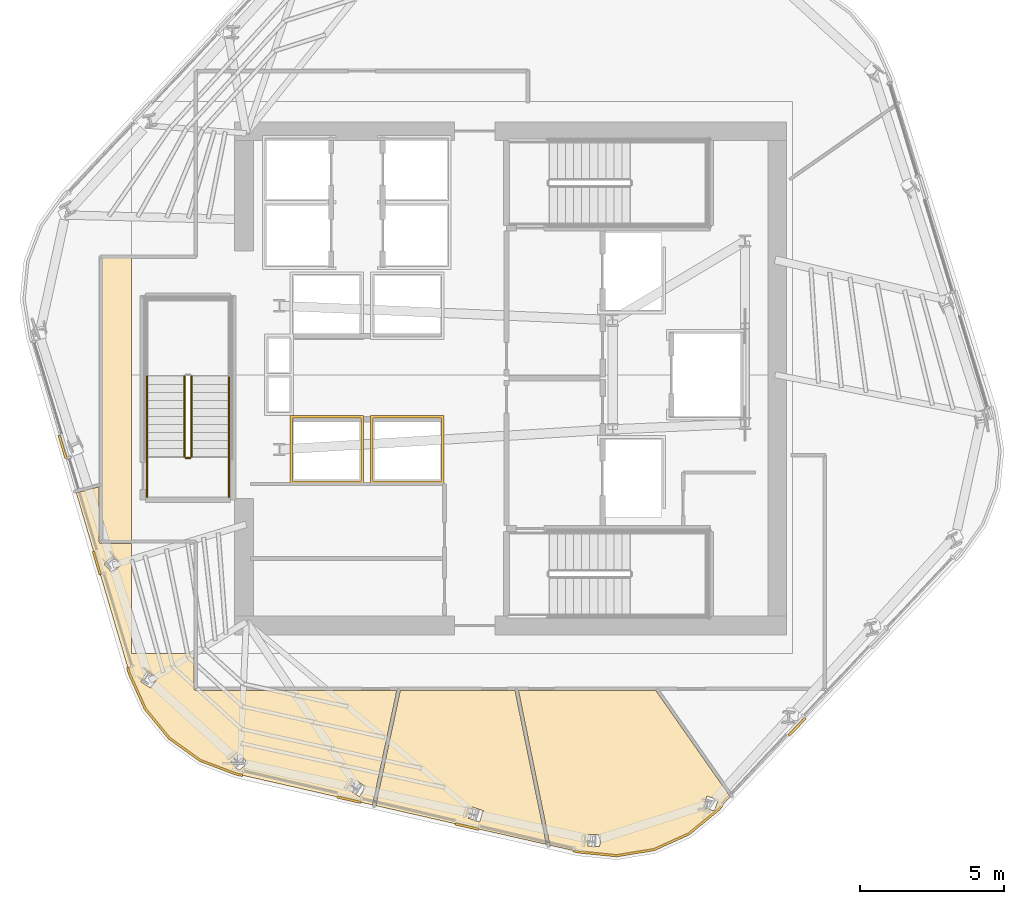
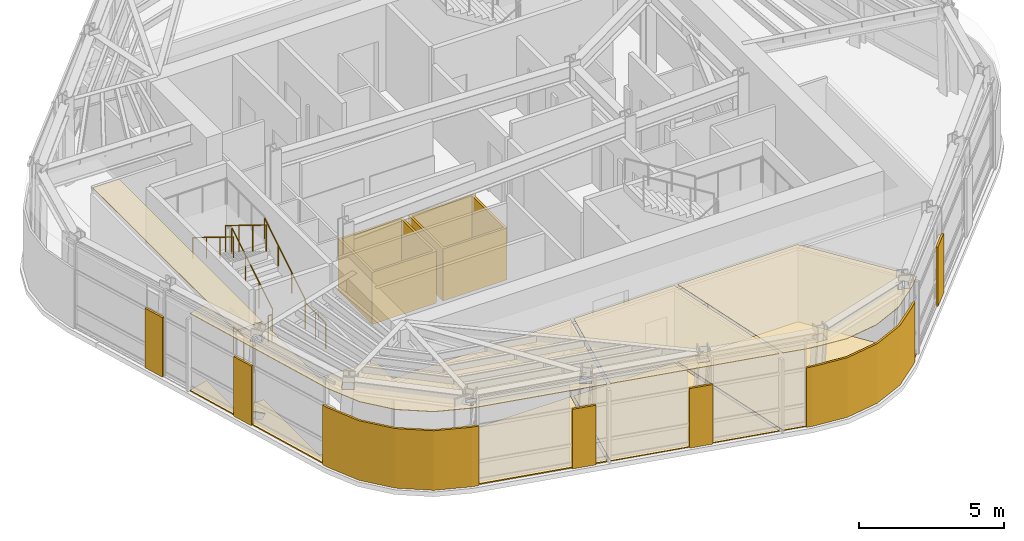
# One storey, part 9 of 13: 16 coverings, 7 railings.
"""IFC4 building model written with IfcOpenShell, lengths in metres."""

from ifc_helpers import new_model, si_unit, direction, frame, origin, origin_2d, place, context, subcontext, project, spatial, polyline, circle, outline, extrude, material, layer, layer_set, type_object, element, save


model = new_model("IFC4")

# Units and contexts
model_context = context("Model", 3, precision=1e-05, world=origin(), true_north=direction((0.0, 1.0)))
body_context = subcontext(model_context, "Body", "Model", "MODEL_VIEW")
ifc_project = project(units=[si_unit("LENGTHUNIT", "METRE"), si_unit("AREAUNIT", "SQUARE_METRE"), si_unit("VOLUMEUNIT", "CUBIC_METRE"), si_unit("PLANEANGLEUNIT", "RADIAN"), si_unit("MASSUNIT", "GRAM", prefix="KILO")], contexts=[model_context])

# Site, building, storey
site_placement = place(None, origin())
site = spatial("IfcSite", under=ifc_project, at=site_placement, CompositionType="ELEMENT")
building_placement = place(site_placement, origin())
building = spatial("IfcBuilding", under=site, at=building_placement, Name="Valkerne Bourse Tower", CompositionType="ELEMENT")
storey_placement = place(building_placement, frame((0.0, 0.0, 224.60009765625)))
storey = spatial("IfcBuildingStorey", under=building, at=storey_placement, Name="L57", CompositionType="ELEMENT", Elevation=224.60009765625)

# Coverings
ifc_material_1 = material(Name="Mineral Fiber Acoustic Ceiling Tile", Category="acoustic")
ifc_layer_1 = layer(ifc_material_1, 0.02490234375)
ifc_layer_set_1 = layer_set([ifc_layer_1], Name="Mineral Fiber Acoustic Ceiling Tile")
covering_type_1 = type_object("IfcCoveringType", Name="COV-CEIL-ACT", PredefinedType="CEILING", material=ifc_layer_set_1)
covering_1_placement = place(storey_placement, frame((0.0, 0.0, 3.25)))
element("IfcCovering", 1, at=covering_1_placement, inside=storey, type_object=covering_type_1, Name="L57 Suspended Ceiling 04", PredefinedType="CEILING", context=body_context, shape_type="SweptSolid", body=[
    extrude(outline(polyline([(46.95166015625, 16.010986328125), (48.04052734375, 10.65966796875), (42.10791015625, 12.010009765625), (42.958251953125, 16.010986328125), (46.95166015625, 16.010986328125)]), holes=[polyline([(45.45458984375, 11.96435546875), (45.452392578125, 11.96435546875), (45.324951171875, 11.57275390625), (45.718017578125, 11.4443359375), (45.72021484375, 11.4443359375), (45.847900390625, 11.8359375), (45.45458984375, 11.96435546875)])]), origin(), (0.0, 0.0, 1.0), 0.02490234375),
])
covering_2_placement = place(storey_placement, frame((0.0, 0.0, 3.25)))
element("IfcCovering", 2, at=covering_2_placement, inside=storey, type_object=covering_type_1, Name="L57 Suspended Ceiling 05", PredefinedType="CEILING", context=body_context, shape_type="SweptSolid", body=[
    extrude(outline(polyline([(51.785888671875, 10.48583984375), (50.483642578125, 10.272705078125), (49.16064453125, 10.40478515625), (48.166748046875, 10.630859375), (47.072021484375, 16.010986328125), (51.852294921875, 16.010986328125), (54.440185546875, 12.315185546875), (54.017333984375, 11.87109375), (52.988525390625, 11.02880859375), (51.785888671875, 10.48583984375)]), holes=[polyline([(49.919189453125, 10.991455078125), (49.50634765625, 11.01611328125), (49.504150390625, 11.015625), (49.47998046875, 10.6044921875), (49.892578125, 10.580078125), (49.89501953125, 10.580322265625), (49.919189453125, 10.991455078125)]), polyline([(54.01806640625, 12.21435546875), (53.628173828125, 12.345458984375), (53.6259765625, 12.344482421875), (53.4951171875, 11.95166015625), (53.885009765625, 11.820556640625), (53.88720703125, 11.821533203125), (54.01806640625, 12.21435546875)])]), origin(), (0.0, 0.0, 1.0), 0.02490234375),
])
covering_3_placement = place(storey_placement, frame((0.0, 0.0, 3.25)))
element("IfcCovering", 3, at=covering_3_placement, inside=storey, type_object=covering_type_1, Name="L57 Suspended Ceiling 06", PredefinedType="CEILING", context=body_context, shape_type="SweptSolid", body=[
    extrude(outline(polyline([(34.927490234375, 14.357177734375), (34.091796875, 15.378173828125), (33.544921875, 16.589111328125), (31.68798828125, 22.8896484375), (32.48095703125, 23.102294921875), (32.48095703125, 21.199462890625), (32.490966796875, 21.1640625), (32.520751953125, 21.137451171875), (32.549560546875, 21.131103515625), (33.60009765625, 21.131103515625), (33.60009765625, 17.300048828125), (35.781005859375, 17.300048828125), (35.781005859375, 16.07958984375), (35.790283203125, 16.044921875), (35.814208984375, 16.02099609375), (35.849365234375, 16.010986328125), (42.837646484375, 16.010986328125), (41.992919921875, 12.0361328125), (37.241943359375, 13.117431640625), (35.9990234375, 13.5869140625), (34.927490234375, 14.357177734375)]), holes=[polyline([(41.4169921875, 12.896484375), (41.414794921875, 12.8974609375), (41.185546875, 12.55517578125), (41.529052734375, 12.32470703125), (41.53125, 12.323974609375), (41.76025390625, 12.666259765625), (41.4169921875, 12.896484375)]), polyline([(37.3779296875, 13.8076171875), (37.376220703125, 13.80908203125), (37.067626953125, 13.5361328125), (37.34130859375, 13.226318359375), (37.343505859375, 13.224853515625), (37.65185546875, 13.497802734375), (37.3779296875, 13.8076171875)]), polyline([(34.50341796875, 16.448974609375), (34.159912109375, 16.6748046875), (33.931884765625, 16.328857421875), (33.93359375, 16.326904296875), (34.27685546875, 16.101318359375), (34.5048828125, 16.447021484375), (34.50341796875, 16.448974609375)]), polyline([(33.23779296875, 20.389892578125), (32.962890625, 20.695556640625), (32.654541015625, 20.418701171875), (32.655517578125, 20.416748046875), (32.930419921875, 20.111083984375), (33.23876953125, 20.3876953125), (33.23779296875, 20.389892578125)])]), origin(), (0.0, 0.0, 1.0), 0.02490234375),
])
ifc_material_2 = material(Name="Bronze Anodised Aluminium AA 6063-T6", Category="aluminium")
ifc_layer_2 = layer(ifc_material_2, 0.030029296875)
ifc_layer_set_2 = layer_set([ifc_layer_2], Name="Bronze Anodised Aluminium AA 6063-T6")
covering_type_2 = type_object("IfcCoveringType", Name="COV-CEIL-METAL", PredefinedType="CEILING", material=ifc_layer_set_2)
covering_4_placement = place(storey_placement, frame((0.0, 0.0, 3.25)))
element("IfcCovering", 4, at=covering_4_placement, inside=storey, type_object=covering_type_2, Name="L57 Suspended Ceiling 02", PredefinedType="CEILING", context=body_context, shape_type="SweptSolid", body=[
    extrude(outline(polyline([(32.553955078125, 21.2041015625), (32.553955078125, 31.095947265625), (33.60009765625, 31.095947265625), (33.60009765625, 21.2041015625), (32.553955078125, 21.2041015625)])), origin(), (0.0, 0.0, 1.0), 0.02490234375),
])
ifc_layer_3 = layer(ifc_material_2, 0.06005859375)
ifc_layer_set_3 = layer_set([ifc_layer_3], Name="Bronze Anodised Aluminium AA 6063-T6")
covering_type_3 = type_object("IfcCoveringType", Name="COV-CRN-ALUM", PredefinedType="CLADDING", material=ifc_layer_set_3)
covering_5_placement = place(storey_placement, origin())
element("IfcCovering", 5, at=covering_5_placement, inside=storey, type_object=covering_type_3, Name="L57 Wind-Shaped Corner Aluminium Cladding 03", PredefinedType="CLADDING", context=body_context, shape_type="SweptSolid", body=[
    extrude(outline(polyline([(56.5048828125, 14.42138671875), (56.446533203125, 14.47607421875), (57.025634765625, 15.084716796875), (57.083984375, 15.02978515625), (56.5048828125, 14.42138671875)])), origin(), (0.0, 0.0, 1.0), 2.5),
])
covering_6_placement = place(storey_placement, origin())
element("IfcCovering", 6, at=covering_6_placement, inside=storey, type_object=covering_type_3, Name="L57 Wind-Shaped Corner Aluminium Cladding 04", PredefinedType="CLADDING", context=body_context, shape_type="SweptSolid", body=[
    extrude(outline(polyline([(54.04736328125, 11.838623046875), (53.011962890625, 10.9912109375), (51.798583984375, 10.443603515625), (50.485107421875, 10.228271484375), (49.153564453125, 10.361083984375), (48.965576171875, 10.404052734375), (48.98388671875, 10.48193359375), (49.16650390625, 10.440185546875), (50.482421875, 10.30908203125), (51.775390625, 10.520751953125), (52.969482421875, 11.059814453125), (53.992919921875, 11.8974609375), (54.1220703125, 12.033203125), (54.180419921875, 11.978515625), (54.04736328125, 11.838623046875)])), origin(), (0.0, 0.0, 1.0), 2.5),
])
covering_7_placement = place(storey_placement, origin())
element("IfcCovering", 7, at=covering_7_placement, inside=storey, type_object=covering_type_3, Name="L57 Wind-Shaped Corner Aluminium Cladding 05", PredefinedType="CLADDING", context=body_context, shape_type="SweptSolid", body=[
    extrude(outline(polyline([(44.8583984375, 11.3388671875), (44.876708984375, 11.41650390625), (45.69580078125, 11.230224609375), (45.677490234375, 11.15234375), (44.8583984375, 11.3388671875)])), origin(), (0.0, 0.0, 1.0), 2.5),
])
covering_8_placement = place(storey_placement, origin())
element("IfcCovering", 8, at=covering_8_placement, inside=storey, type_object=covering_type_3, Name="L57 Wind-Shaped Corner Aluminium Cladding 06", PredefinedType="CLADDING", context=body_context, shape_type="SweptSolid", body=[
    extrude(outline(polyline([(40.75146484375, 12.2734375), (40.769775390625, 12.351318359375), (41.5888671875, 12.1650390625), (41.570556640625, 12.087158203125), (40.75146484375, 12.2734375)])), origin(), (0.0, 0.0, 1.0), 2.5),
])
covering_9_placement = place(storey_placement, origin())
element("IfcCovering", 9, at=covering_9_placement, inside=storey, type_object=covering_type_3, Name="L57 Wind-Shaped Corner Aluminium Cladding 07", PredefinedType="CLADDING", context=body_context, shape_type="SweptSolid", body=[
    extrude(outline(polyline([(37.229248046875, 13.0751953125), (35.97802734375, 13.5478515625), (34.897216796875, 14.32470703125), (34.053955078125, 15.354736328125), (33.503662109375, 16.57373046875), (33.435791015625, 16.80419921875), (33.51220703125, 16.8271484375), (33.578857421875, 16.6015625), (34.12255859375, 15.397216796875), (34.952392578125, 14.383544921875), (36.01611328125, 13.618896484375), (37.252197265625, 13.152099609375), (37.481689453125, 13.099853515625), (37.46337890625, 13.02197265625), (37.229248046875, 13.0751953125)])), origin(), (0.0, 0.0, 1.0), 2.5),
])
covering_10_placement = place(storey_placement, origin())
element("IfcCovering", 10, at=covering_10_placement, inside=storey, type_object=covering_type_3, Name="L57 Wind-Shaped Corner Aluminium Cladding 08", PredefinedType="CLADDING", context=body_context, shape_type="SweptSolid", body=[
    extrude(outline(polyline([(32.244873046875, 20.844482421875), (32.321533203125, 20.86767578125), (32.558837890625, 20.061767578125), (32.482421875, 20.038818359375), (32.244873046875, 20.844482421875)])), origin(), (0.0, 0.0, 1.0), 2.5),
])
covering_11_placement = place(storey_placement, origin())
element("IfcCovering", 11, at=covering_11_placement, inside=storey, type_object=covering_type_3, Name="L57 Wind-Shaped Corner Aluminium Cladding 09", PredefinedType="CLADDING", context=body_context, shape_type="SweptSolid", body=[
    extrude(outline(polyline([(31.05419921875, 24.884765625), (31.130615234375, 24.90771484375), (31.3681640625, 24.10205078125), (31.29150390625, 24.0791015625), (31.05419921875, 24.884765625)])), origin(), (0.0, 0.0, 1.0), 2.5),
])
ifc_material_3 = material(Name="Galvanised Painted Steel", Category="steel")
ifc_layer_4 = layer(ifc_material_3, 0.044921875)
ifc_layer_set_4 = layer_set([ifc_layer_4], Name="Galvanised Painted Steel")
covering_type_4 = type_object("IfcCoveringType", Name="COV-FLR-RAF", PredefinedType="FLOORING", material=ifc_layer_set_4)
covering_12_placement = place(storey_placement, origin())
element("IfcCovering", 12, at=covering_12_placement, inside=storey, type_object=covering_type_4, Name="L57 Floor Finish 06", PredefinedType="FLOORING", context=body_context, shape_type="SweptSolid", body=[
    extrude(outline(polyline([(34.927490234375, 14.357177734375), (34.091796875, 15.378173828125), (33.544921875, 16.589111328125), (31.68798828125, 22.8896484375), (32.48095703125, 23.102294921875), (32.48095703125, 21.199462890625), (32.490966796875, 21.1640625), (32.520751953125, 21.137451171875), (32.549560546875, 21.131103515625), (33.60009765625, 21.131103515625), (33.60009765625, 17.300048828125), (35.781005859375, 17.300048828125), (35.781005859375, 16.07958984375), (35.790283203125, 16.044921875), (35.814208984375, 16.02099609375), (35.849365234375, 16.010986328125), (42.837646484375, 16.010986328125), (41.992919921875, 12.0361328125), (37.241943359375, 13.117431640625), (35.9990234375, 13.5869140625), (34.927490234375, 14.357177734375)]), holes=[polyline([(41.4169921875, 12.896484375), (41.414794921875, 12.8974609375), (41.185546875, 12.55517578125), (41.529052734375, 12.32470703125), (41.53125, 12.323974609375), (41.76025390625, 12.666259765625), (41.4169921875, 12.896484375)]), polyline([(37.3779296875, 13.8076171875), (37.376220703125, 13.80908203125), (37.067626953125, 13.5361328125), (37.34130859375, 13.226318359375), (37.343505859375, 13.224853515625), (37.65185546875, 13.497802734375), (37.3779296875, 13.8076171875)]), polyline([(34.50341796875, 16.448974609375), (34.159912109375, 16.6748046875), (33.931884765625, 16.328857421875), (33.93359375, 16.326904296875), (34.27685546875, 16.101318359375), (34.5048828125, 16.447021484375), (34.50341796875, 16.448974609375)]), polyline([(33.23779296875, 20.389892578125), (32.962890625, 20.695556640625), (32.654541015625, 20.418701171875), (32.655517578125, 20.416748046875), (32.930419921875, 20.111083984375), (33.23876953125, 20.3876953125), (33.23779296875, 20.389892578125)])]), origin(), (0.0, 0.0, 1.0), 0.044921875),
])
ifc_material_4 = material(Name="Polished Granite Stone", Category="masonry")
ifc_layer_5 = layer(ifc_material_4, 0.030029296875)
ifc_layer_set_5 = layer_set([ifc_layer_5], Name="Polished Granite Stone")
covering_type_5 = type_object("IfcCoveringType", Name="COV-FLR-TERRAZZO", PredefinedType="FLOORING", material=ifc_layer_set_5)
covering_13_placement = place(storey_placement, origin())
element("IfcCovering", 13, at=covering_13_placement, inside=storey, type_object=covering_type_5, Name="L57 Floor Finish 04", PredefinedType="FLOORING", context=body_context, shape_type="SweptSolid", body=[
    extrude(outline(polyline([(46.95166015625, 16.010986328125), (48.04052734375, 10.65966796875), (42.10791015625, 12.010009765625), (42.958251953125, 16.010986328125), (46.95166015625, 16.010986328125)]), holes=[polyline([(45.45458984375, 11.96435546875), (45.452392578125, 11.96435546875), (45.324951171875, 11.57275390625), (45.718017578125, 11.4443359375), (45.72021484375, 11.4443359375), (45.847900390625, 11.8359375), (45.45458984375, 11.96435546875)])]), origin(), (0.0, 0.0, 1.0), 0.02978515625),
])
covering_14_placement = place(storey_placement, origin())
element("IfcCovering", 14, at=covering_14_placement, inside=storey, type_object=covering_type_5, Name="L57 Floor Finish 05", PredefinedType="FLOORING", context=body_context, shape_type="SweptSolid", body=[
    extrude(outline(polyline([(51.785888671875, 10.48583984375), (50.483642578125, 10.272705078125), (49.16064453125, 10.40478515625), (48.166748046875, 10.630859375), (47.072021484375, 16.010986328125), (51.852294921875, 16.010986328125), (54.440185546875, 12.315185546875), (54.017333984375, 11.87109375), (52.988525390625, 11.02880859375), (51.785888671875, 10.48583984375)]), holes=[polyline([(49.919189453125, 10.991455078125), (49.50634765625, 11.01611328125), (49.504150390625, 11.015625), (49.47998046875, 10.6044921875), (49.892578125, 10.580078125), (49.89501953125, 10.580322265625), (49.919189453125, 10.991455078125)]), polyline([(54.01806640625, 12.21435546875), (53.628173828125, 12.345458984375), (53.6259765625, 12.344482421875), (53.4951171875, 11.95166015625), (53.885009765625, 11.820556640625), (53.88720703125, 11.821533203125), (54.01806640625, 12.21435546875)])]), origin(), (0.0, 0.0, 1.0), 0.02978515625),
])
ifc_material_5 = material(Name="Gypsum Shaftwall Liner Board", Category="gypsum")
ifc_layer_6 = layer(ifc_material_5, 0.080078125)
ifc_layer_set_6 = layer_set([ifc_layer_6], Name="Gypsum Shaftwall Liner Board")
covering_type_6 = type_object("IfcCoveringType", Name="COV-SHF-CLAD", PredefinedType="CLADDING", material=ifc_layer_set_6)
covering_15_placement = place(storey_placement, origin())
element("IfcCovering", 15, at=covering_15_placement, inside=storey, type_object=covering_type_6, Name="L57 Hoistway & Riser Shaftwall Liner 01", PredefinedType="CLADDING", context=body_context, shape_type="SweptSolid", body=[
    extrude(outline(polyline([(41.679931640625, 25.580078125), (41.679931640625, 23.219970703125), (39.1201171875, 23.219970703125), (39.1201171875, 25.580078125), (41.679931640625, 25.580078125)]), holes=[polyline([(41.590087890625, 25.489990234375), (39.2099609375, 25.489990234375), (39.2099609375, 23.31005859375), (41.590087890625, 23.31005859375), (41.590087890625, 25.489990234375)])]), origin(), (0.0, 0.0, 1.0), 2.179931640625),
])
covering_16_placement = place(storey_placement, origin())
element("IfcCovering", 16, at=covering_16_placement, inside=storey, type_object=covering_type_6, Name="L57 Hoistway & Riser Shaftwall Liner 02", PredefinedType="CLADDING", context=body_context, shape_type="SweptSolid", body=[
    extrude(outline(polyline([(44.47998046875, 23.219970703125), (41.919921875, 23.219970703125), (41.919921875, 25.580078125), (44.47998046875, 25.580078125), (44.47998046875, 23.219970703125)]), holes=[polyline([(42.010009765625, 25.489990234375), (42.010009765625, 23.31005859375), (44.389892578125, 23.31005859375), (44.389892578125, 25.489990234375), (42.010009765625, 25.489990234375)])]), origin(), (0.0, 0.0, 1.0), 2.179931640625),
])

# Railings
railing_type_1 = type_object("IfcRailingType", Name="RLG-ST-GUARD-1120", PredefinedType="GUARDRAIL", material=ifc_material_3)
railing_1_placement = place(storey_placement, frame((35.699951171875, 24.14990234375, 0.172607421875)))
element("IfcRailing", 17, at=railing_1_placement, inside=storey, type_object=railing_type_1, Name="L57 ST-3 stair guard 1", PredefinedType="GUARDRAIL", context=body_context, shape_type="SweptSolid", body=[
    extrude(circle(Radius=0.02392578125, at=origin_2d()), frame((0.0, 0.0, 1.09619140625), z_axis=(0.0, 0.851089632645, 0.525020415988), x_axis=(-1.0, 0.0, 0.0)), (0.0, 0.0, 1.0), 3.2900390625),
    extrude(circle(Radius=0.02099609375, at=origin_2d()), origin(), (0.0, 0.0, 1.0), 1.072021484375),
    extrude(circle(Radius=0.02099609375, at=origin_2d()), frame((0.0, 0.933349609375, 0.57568359375)), (0.0, 0.0, 1.0), 1.072021484375),
    extrude(circle(Radius=0.02099609375, at=origin_2d()), frame((0.0, 1.86669921875, 1.151611328125)), (0.0, 0.0, 1.0), 1.072021484375),
    extrude(circle(Radius=0.02099609375, at=origin_2d()), frame((0.0, 2.800048828125, 1.727294921875)), (0.0, 0.0, 1.0), 1.072021484375),
])
railing_2_placement = place(storey_placement, frame((35.449951171875, 26.949951171875, 2.072509765625)))
element("IfcRailing", 18, at=railing_2_placement, inside=storey, type_object=railing_type_1, Name="L57 ST-3 stair guard 6", PredefinedType="GUARDRAIL", context=body_context, shape_type="SweptSolid", body=[
    extrude(circle(Radius=0.02392578125, at=origin_2d()), frame((0.0, 0.0, 1.09619140625), z_axis=(0.0, -0.851089632645, 0.525020415988), x_axis=(1.0, 0.0, 0.0)), (0.0, 0.0, 1.0), 3.2900390625),
    extrude(circle(Radius=0.02099609375, at=origin_2d()), origin(), (0.0, 0.0, 1.0), 1.072021484375),
    extrude(circle(Radius=0.02099609375, at=origin_2d()), frame((0.0, -0.933349609375, 0.57568359375)), (0.0, 0.0, 1.0), 1.072021484375),
    extrude(circle(Radius=0.02099609375, at=origin_2d()), frame((0.0, -1.86669921875, 1.151611328125)), (0.0, 0.0, 1.0), 1.072021484375),
    extrude(circle(Radius=0.02099609375, at=origin_2d()), frame((0.0, -2.800048828125, 1.727294921875)), (0.0, 0.0, 1.0), 1.072021484375),
])
railing_3_placement = place(storey_placement, frame((35.64990234375, 24.10009765625, 0.0)))
element("IfcRailing", 19, at=railing_3_placement, inside=storey, type_object=railing_type_1, Name="L57 ST-3 stair guard 7", PredefinedType="GUARDRAIL", context=body_context, shape_type="SweptSolid", body=[
    extrude(circle(Radius=0.02392578125, at=origin_2d()), frame((0.0, 0.0, 1.09619140625), z_axis=(-1.0, 0.0, 0.0), x_axis=(0.0, -1.0, 0.0)), (0.0, 0.0, 1.0), 0.14990234375),
    extrude(circle(Radius=0.02099609375, at=origin_2d()), origin(), (0.0, 0.0, 1.0), 1.072021484375),
    extrude(circle(Radius=0.02099609375, at=origin_2d()), frame((-0.14990234375, 0.0, 0.0)), (0.0, 0.0, 1.0), 1.072021484375),
])
for number, where, name in (
    (20, (37.0, 22.75, 0.0), "L57 ST-3 stair guard 8"),
    (21, (34.14990234375, 22.75, 0.0), "L57 ST-3 stair guard 9"),
):
    element("IfcRailing", number, at=place(storey_placement, frame(where)), inside=storey, type_object=railing_type_1, Name=name, PredefinedType="GUARDRAIL", context=body_context, shape_type="SweptSolid", body=[
        extrude(circle(Radius=0.02392578125, at=origin_2d()), frame((0.0, 0.0, 1.09619140625), z_axis=(0.0, 1.0, 0.0), x_axis=(-1.0, 0.0, 0.0)), (0.0, 0.0, 1.0), 1.39990234375),
        extrude(circle(Radius=0.02099609375, at=origin_2d()), origin(), (0.0, 0.0, 1.0), 1.072021484375),
        extrude(circle(Radius=0.02099609375, at=origin_2d()), frame((0.0, 0.699951171875, 0.0)), (0.0, 0.0, 1.0), 1.072021484375),
        extrude(circle(Radius=0.02099609375, at=origin_2d()), frame((0.0, 1.39990234375, 0.0)), (0.0, 0.0, 1.0), 1.072021484375),
    ])
ifc_material_6 = material(Name="Stainless Steel AISI 316", Category="steel")
railing_type_2 = type_object("IfcRailingType", Name="RLG-ST-HANDRAIL-900", PredefinedType="HANDRAIL", material=ifc_material_6)
railing_4_placement = place(storey_placement, frame((37.0, 24.14990234375, 0.345458984375)))
element("IfcRailing", 22, at=railing_4_placement, inside=storey, type_object=railing_type_2, Name="L57 ST-3 stair handrail 1", PredefinedType="HANDRAIL", context=body_context, shape_type="SweptSolid", body=[
    extrude(circle(Radius=0.02392578125, at=origin_2d()), frame((0.0, 0.0, 0.8759765625), z_axis=(0.0, 0.851122791225, 0.524966660138), x_axis=(-1.0, 0.0, 0.0)), (0.0, 0.0, 1.0), 3.289794921875),
    extrude(circle(Radius=0.02099609375, at=origin_2d()), origin(), (0.0, 0.0, 1.0), 0.851806640625),
    extrude(circle(Radius=0.02099609375, at=origin_2d()), frame((0.0, 0.933349609375, 0.57568359375)), (0.0, 0.0, 1.0), 0.851806640625),
    extrude(circle(Radius=0.02099609375, at=origin_2d()), frame((0.0, 1.86669921875, 1.1513671875)), (0.0, 0.0, 1.0), 0.851806640625),
    extrude(circle(Radius=0.02099609375, at=origin_2d()), frame((0.0, 2.800048828125, 1.72705078125)), (0.0, 0.0, 1.0), 0.851806640625),
])
railing_5_placement = place(storey_placement, frame((34.14990234375, 26.949951171875, 2.245361328125)))
element("IfcRailing", 23, at=railing_5_placement, inside=storey, type_object=railing_type_2, Name="L57 ST-3 stair handrail 2", PredefinedType="HANDRAIL", context=body_context, shape_type="SweptSolid", body=[
    extrude(circle(Radius=0.02392578125, at=origin_2d()), frame((0.0, 0.0, 0.8759765625), z_axis=(0.0, -0.851089632645, 0.525020415988), x_axis=(1.0, 0.0, 0.0)), (0.0, 0.0, 1.0), 3.2900390625),
    extrude(circle(Radius=0.02099609375, at=origin_2d()), origin(), (0.0, 0.0, 1.0), 0.851806640625),
    extrude(circle(Radius=0.02099609375, at=origin_2d()), frame((0.0, -0.933349609375, 0.57568359375)), (0.0, 0.0, 1.0), 0.851806640625),
    extrude(circle(Radius=0.02099609375, at=origin_2d()), frame((0.0, -1.86669921875, 1.151611328125)), (0.0, 0.0, 1.0), 0.851806640625),
    extrude(circle(Radius=0.02099609375, at=origin_2d()), frame((0.0, -2.800048828125, 1.727294921875)), (0.0, 0.0, 1.0), 0.851806640625),
])

save(model, "model.ifc")
